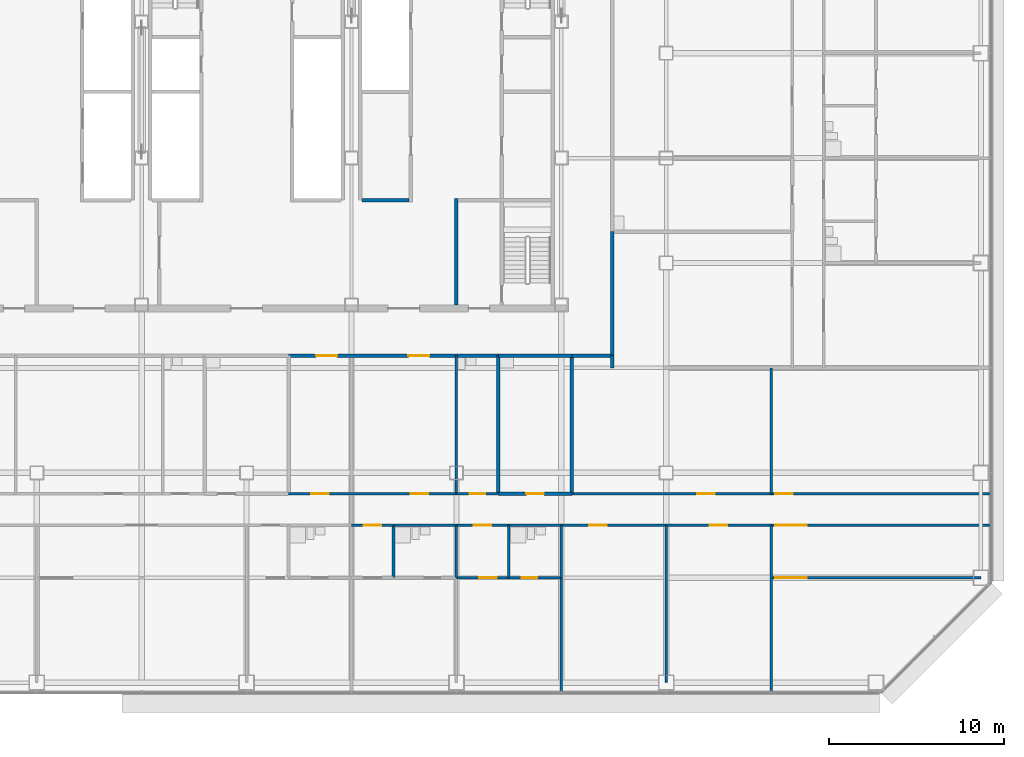
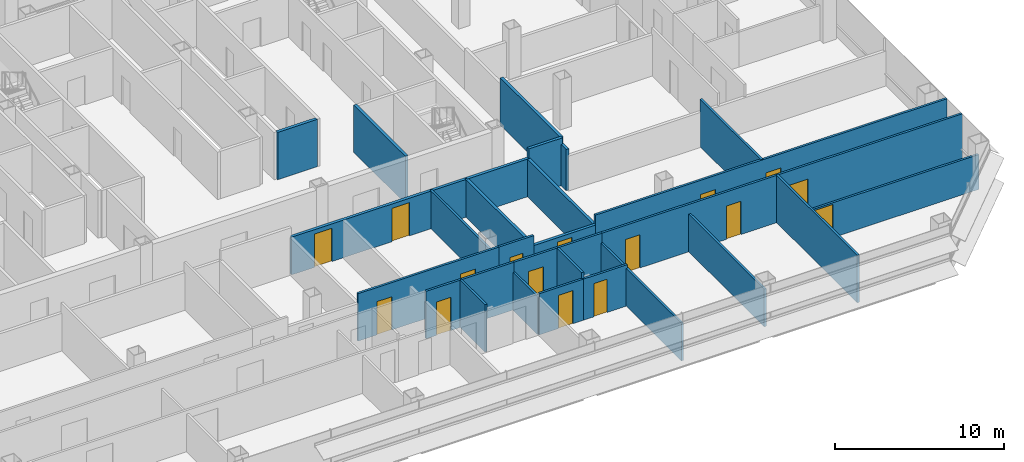
# One storey, part 21 of 26: 30 walls, 16 doors, 16 openings.
"""IFC4 building model written with IfcOpenShell, lengths in metres."""

import ifcopenshell
import ifcopenshell.guid

model = None  # the IFC model being written
_history = None  # IfcOwnerHistory: only IFC2X3 demands one
_inside = {}  # id of a spatial element -> (the spatial element, [elements in it])
_under = {}  # id of a project, library or spatial element -> (it, [spatial elements below it])
_declared = {}  # id of a project -> (the project, [libraries it declares])
_typed = {}  # id of a type object -> (the type object, [elements of that type])
_made_of = {}  # id of a material, layer set ... -> (it, [elements and type objects made of it])


def new_model(schema):
    """Start an empty IFC model of exactly this schema.

    Asked for "IFC4X3", IfcOpenShell would pick the latest addendum, in which some entities
    have other attributes; the version numbers below select the first issue.
    IFC2X3 requires an IfcOwnerHistory on every rooted entity: one is made here for all.
    """
    global model, _history
    if schema == "IFC4X3":
        model = ifcopenshell.file(schema_version=(4, 3, 0, 0))
    else:
        model = ifcopenshell.file(schema=schema)
    _inside.clear()
    _under.clear()
    _declared.clear()
    _typed.clear()
    _made_of.clear()
    _history = None
    if model.schema == "IFC2X3":
        org = make("IfcOrganization", Name="unknown")
        user = make(
            "IfcPersonAndOrganization",
            ThePerson=make("IfcPerson", FamilyName="unknown"),
            TheOrganization=org,
        )
        app = make(
            "IfcApplication",
            ApplicationDeveloper=org,
            Version="unknown",
            ApplicationFullName="unknown",
            ApplicationIdentifier="unknown",
        )
        _history = make(
            "IfcOwnerHistory",
            OwningUser=user,
            OwningApplication=app,
            ChangeAction="ADDED",
            CreationDate=0,
        )
    return model


def make(cls, **values):
    """One entity of the class cls with the attributes given. An attribute that is None is left unset."""
    return model.create_entity(
        cls, **{name: value for name, value in values.items() if value is not None}
    )


def rooted(cls, **values):
    """An entity with a GlobalId (a new one), such as an element, a storey or a relation."""
    return make(cls, GlobalId=ifcopenshell.guid.new(), OwnerHistory=_history, **values)


def si_unit(unit_type, name, prefix=None):
    """IfcSIUnit, for example si_unit("LENGTHUNIT", "METRE", prefix="MILLI")."""
    return make("IfcSIUnit", UnitType=unit_type, Prefix=prefix, Name=name)


def assignment(units):
    """IfcUnitAssignment: the units of a project."""
    return None if units is None else make("IfcUnitAssignment", Units=units)


def point(xyz):
    """IfcCartesianPoint."""
    return None if xyz is None else make("IfcCartesianPoint", Coordinates=xyz)


def direction(xyz):
    """IfcDirection."""
    return None if xyz is None else make("IfcDirection", DirectionRatios=xyz)


def frame(location, z_axis=None, x_axis=None):
    """IfcAxis2Placement3D, a coordinate frame: its origin and axes. An axis left out is left unset."""
    return make(
        "IfcAxis2Placement3D",
        Location=point(location),
        Axis=direction(z_axis),
        RefDirection=direction(x_axis),
    )


def frame_2d(location, x_axis=None):
    """IfcAxis2Placement2D, a coordinate frame in the plane: its origin and x axis."""
    return make(
        "IfcAxis2Placement2D", Location=point(location), RefDirection=direction(x_axis)
    )


def origin():
    """The frame at (0, 0, 0) with its axes left unset."""
    return frame((0.0, 0.0, 0.0))


def place(relative_to, where):
    """IfcLocalPlacement: puts the frame where relative to a parent placement (None: the world)."""
    return make(
        "IfcLocalPlacement", PlacementRelTo=relative_to, RelativePlacement=where
    )


def context(
    kind, dimensions, precision=None, world=None, true_north=None, identifier=None
):
    """IfcGeometricRepresentationContext, for example the 3D "Model" context."""
    return make(
        "IfcGeometricRepresentationContext",
        ContextIdentifier=identifier,
        ContextType=kind,
        CoordinateSpaceDimension=dimensions,
        Precision=precision,
        WorldCoordinateSystem=world,
        TrueNorth=true_north,
    )


def subcontext(parent, identifier, kind, view, scale=None):
    """IfcGeometricRepresentationSubContext, for example "Body" below "Model"."""
    return make(
        "IfcGeometricRepresentationSubContext",
        ContextIdentifier=identifier,
        ContextType=kind,
        ParentContext=parent,
        TargetScale=scale,
        TargetView=view,
    )


def project(units=None, contexts=None):
    """IfcProject with its units and contexts."""
    return rooted(
        "IfcProject",
        Name="project",
        RepresentationContexts=contexts,
        UnitsInContext=assignment(units),
    )


def spatial(cls, under=None, at=None, **own):
    """A site, building, storey or space (cls), placed at a placement, below another one or the project."""
    s = rooted(cls, ObjectPlacement=at, **own)
    if under is not None:
        _under.setdefault(under.id(), (under, []))[1].append(s)
    return s


def profile(cls, at=None, kind="AREA", **sizes):
    """A parametric profile (cls). Its sizes go by their IFC names, for example OverallWidth=200.0."""
    return make(cls, ProfileType=kind, Position=at, **sizes)


def rectangle(**sizes):
    """IfcRectangleProfileDef."""
    return profile("IfcRectangleProfileDef", **sizes)


def extrude(swept, where, along, depth):
    """IfcExtrudedAreaSolid: the profile swept, set in the frame where, extruded along a direction by depth."""
    return make(
        "IfcExtrudedAreaSolid",
        SweptArea=swept,
        Position=where,
        ExtrudedDirection=direction(along),
        Depth=depth,
    )


def shape(context_of_items, identifier, shape_type, items):
    """IfcShapeRepresentation: the items that make up one representation, for example the "Body"."""
    return make(
        "IfcShapeRepresentation",
        ContextOfItems=context_of_items,
        RepresentationIdentifier=identifier,
        RepresentationType=shape_type,
        Items=items,
    )


def material(Name=None, Category=None):
    """IfcMaterial."""
    return make("IfcMaterial", Name=Name, Category=Category)


def layer(
    of_material, thickness, ventilated=None, Name=None, Category=None, Priority=None
):
    """IfcMaterialLayer: one layer of a wall or slab, of a material (None: an air gap)."""
    return make(
        "IfcMaterialLayer",
        Material=of_material,
        LayerThickness=thickness,
        IsVentilated=ventilated,
        Name=Name,
        Category=Category,
        Priority=Priority,
    )


def layer_set(layers, Name=None):
    """IfcMaterialLayerSet."""
    return make("IfcMaterialLayerSet", MaterialLayers=layers, LayerSetName=Name)


def made_of(thing, what):
    """Note that an element or type object is made of a material, layer set ...; save() writes the relation."""
    if what is not None:
        _made_of.setdefault(what.id(), (what, []))[1].append(thing)
    return thing


def type_object(cls, material=None, **own):
    """A type object (cls), such as IfcWallType, which elements share."""
    return made_of(rooted(cls, **own), material)


def element(
    cls,
    number,
    at=None,
    inside=None,
    cuts=None,
    type_object=None,
    material=None,
    context=None,
    identifier="Body",
    shape_type=None,
    held_by="IfcProductDefinitionShape",
    body=None,
    shapes=None,
    **own,
):
    """One element of the class cls, such as IfcWall. Its Tag is "e" and its number.

    at: its placement. inside: the storey or other place that contains it. cuts: it is an
    opening in that element (IfcRelVoidsElement). A single representation is given by context,
    identifier, shape_type and body (its items); several are given by shapes. held_by: the class
    of the entity that holds the representations. save() writes the other relations.
    """
    e = rooted(cls, Tag="e%d" % number, ObjectPlacement=at, **own)
    if body is not None:
        shapes = [shape(context, identifier, shape_type, body)]
    if shapes is not None:
        e.Representation = make(held_by, Representations=shapes)
    if inside is not None:
        _inside.setdefault(inside.id(), (inside, []))[1].append(e)
    if cuts is not None:
        rooted(
            "IfcRelVoidsElement", RelatingBuildingElement=cuts, RelatedOpeningElement=e
        )
    if type_object is not None:
        _typed.setdefault(type_object.id(), (type_object, []))[1].append(e)
    return made_of(e, material)


def fill(opening, filler):
    """IfcRelFillsElement: the door or window that sits in an opening."""
    return rooted(
        "IfcRelFillsElement",
        RelatingOpeningElement=opening,
        RelatedBuildingElement=filler,
    )


def aggregate(whole, parts):
    """IfcRelAggregates: a whole, such as a stair, and the parts it consists of."""
    return rooted("IfcRelAggregates", RelatingObject=whole, RelatedObjects=parts)


def save(model, path):
    """Write the relations noted so far, then the file.

    IfcRelAggregates (storeys below a building ...), IfcRelContainedInSpatialStructure (elements
    in a storey), IfcRelDefinesByType, IfcRelAssociatesMaterial and IfcRelDeclares: one each for
    every whole, place, type object, material and project.
    """
    for whole, parts in _under.values():
        aggregate(whole, parts)
    for where, things in _inside.values():
        rooted(
            "IfcRelContainedInSpatialStructure",
            RelatedElements=things,
            RelatingStructure=where,
        )
    for kind, things in _typed.values():
        rooted("IfcRelDefinesByType", RelatedObjects=things, RelatingType=kind)
    for what, things in _made_of.values():
        rooted("IfcRelAssociatesMaterial", RelatedObjects=things, RelatingMaterial=what)
    for by, libraries in _declared.values():
        rooted("IfcRelDeclares", RelatingContext=by, RelatedDefinitions=libraries)
    model.write(path)


model = new_model("IFC4")

# Units and contexts
model_context = context("Model", 3, precision=1e-05, world=origin(), true_north=direction((0.0, 1.0)))
body_context = subcontext(model_context, "Body", "Model", "MODEL_VIEW")
ifc_project = project(units=[si_unit("LENGTHUNIT", "METRE"), si_unit("AREAUNIT", "SQUARE_METRE"), si_unit("VOLUMEUNIT", "CUBIC_METRE"), si_unit("PLANEANGLEUNIT", "RADIAN"), si_unit("MASSUNIT", "GRAM", prefix="KILO")], contexts=[model_context])

# Site, building, storey
site_placement = place(None, origin())
site = spatial("IfcSite", under=ifc_project, at=site_placement, CompositionType="ELEMENT")
building_placement = place(site_placement, origin())
building = spatial("IfcBuilding", under=site, at=building_placement, Name="Sorahane Residences", CompositionType="ELEMENT")
storey_placement = place(building_placement, frame((0.0, 0.0, 64.199951171875)))
storey = spatial("IfcBuildingStorey", under=building, at=storey_placement, Name="L12", CompositionType="ELEMENT", Elevation=64.199951171875)

# Wall
ifc_material_1 = material(Name="Concrete blockwork C20 wall", Category="masonry")
ifc_layer_1 = layer(ifc_material_1, 0.199951171875)
ifc_layer_set_1 = layer_set([ifc_layer_1], Name="Corridor wall 200 EI 120")
wall_type_1 = type_object("IfcWallType", Name="Corridor wall 200 EI 120", PredefinedType="SOLIDWALL", material=ifc_layer_set_1)
wall_1_placement = place(storey_placement, frame((44.89990234375, 18.699951171875, 0.0), z_axis=(0.0, 0.0, 1.0), x_axis=(0.0, 1.0, 0.0)))
element("IfcWall", 1, at=wall_1_placement, inside=storey, type_object=wall_type_1, Name="L12 corridor wall", PredefinedType="SOLIDWALL", context=body_context, shape_type="SweptSolid", body=[
    extrude(rectangle(XDim=7.10009765625, YDim=0.199951171875, at=frame_2d((3.550048828125, 0.0))), origin(), (0.0, 0.0, 1.0), 3.420166015625),
])

# Wall, openings, doors
wall_2_placement = place(storey_placement, frame((26.39990234375, 18.699951171875, 0.0), z_axis=(0.0, 0.0, 1.0), x_axis=(1.0, 0.0, 0.0)))
wall_2 = element("IfcWall", 2, at=wall_2_placement, inside=storey, type_object=wall_type_1, Name="L12 corridor wall", PredefinedType="SOLIDWALL", context=body_context, shape_type="SweptSolid", body=[
    extrude(rectangle(XDim=12.0, YDim=0.199951171875, at=frame_2d((6.0, 0.0))), origin(), (0.0, 0.0, 1.0), 2.719970703125),
])
opening_1_placement = place(wall_2_placement, frame((1.580078125, 0.0, 0.0)))
opening_1 = element("IfcOpeningElement", 3, at=opening_1_placement, cuts=wall_2, Name="Opening L12-42", PredefinedType="OPENING", context=body_context, shape_type="SweptSolid", body=[
    extrude(rectangle(XDim=1.199951171875, YDim=2.39990234375, at=frame_2d((0.60009765625, 1.199951171875))), frame((0.0, 0.10986328125, 0.0), z_axis=(0.0, -1.0, 0.0), x_axis=(1.0, 0.0, 0.0)), (0.0, 0.0, 1.0), 0.219970703125),
])
opening_2_placement = place(wall_2_placement, frame((6.860107421875, 0.0, 0.0)))
opening_2 = element("IfcOpeningElement", 4, at=opening_2_placement, cuts=wall_2, Name="Opening L12-43", PredefinedType="OPENING", context=body_context, shape_type="SweptSolid", body=[
    extrude(rectangle(XDim=1.199951171875, YDim=2.39990234375, at=frame_2d((0.60009765625, 1.199951171875))), frame((0.0, 0.10986328125, 0.0), z_axis=(0.0, -1.0, 0.0), x_axis=(1.0, 0.0, 0.0)), (0.0, 0.0, 1.0), 0.219970703125),
])
ifc_material_2 = material(Name="Timber veneered fire door", Category="wood")
door_type_1 = type_object("IfcDoorType", Name="Flat entrance door 1200x2400 FD60", OperationType="NOTDEFINED", PredefinedType="DOOR", material=ifc_material_2)
door_1_placement = place(opening_1_placement, frame((1.199951171875, 0.0, 0.0), z_axis=(0.0, 0.0, 1.0), x_axis=(-1.0, 0.0, 0.0)))
door_1 = element("IfcDoor", 5, at=door_1_placement, inside=storey, type_object=door_type_1, Name="Flat entrance door L12-42", OperationType="SINGLE_SWING_LEFT", OverallHeight=2.39990234375, OverallWidth=1.199951171875, PredefinedType="DOOR", context=body_context, shape_type="SweptSolid", body=[
    extrude(rectangle(XDim=1.199951171875, YDim=2.39990234375, at=frame_2d((0.60009765625, 1.199951171875))), frame((0.0, 0.02490234375, 0.0), z_axis=(0.0, -1.0, 0.0), x_axis=(1.0, 0.0, 0.0)), (0.0, 0.0, 1.0), 0.050048828125),
])
fill(opening_1, door_1)
door_2_placement = place(opening_2_placement, frame((1.199951171875, 0.0, 0.0), z_axis=(0.0, 0.0, 1.0), x_axis=(-1.0, 0.0, 0.0)))
door_2 = element("IfcDoor", 6, at=door_2_placement, inside=storey, type_object=door_type_1, Name="Flat entrance door L12-43", OperationType="SINGLE_SWING_RIGHT", OverallHeight=2.39990234375, OverallWidth=1.199951171875, PredefinedType="DOOR", context=body_context, shape_type="SweptSolid", body=[
    extrude(rectangle(XDim=1.199951171875, YDim=2.39990234375, at=frame_2d((0.60009765625, 1.199951171875))), frame((0.0, 0.02490234375, 0.0), z_axis=(0.0, -1.0, 0.0), x_axis=(1.0, 0.0, 0.0)), (0.0, 0.0, 1.0), 0.050048828125),
])
fill(opening_2, door_2)

# Walls
wall_3_placement = place(storey_placement, frame((42.60009765625, 18.699951171875, 0.0), z_axis=(0.0, 0.0, 1.0), x_axis=(1.0, 0.0, 0.0)))
element("IfcWall", 7, at=wall_3_placement, inside=storey, type_object=wall_type_1, Name="L12 corridor wall", PredefinedType="SOLIDWALL", context=body_context, shape_type="SweptSolid", body=[
    extrude(rectangle(XDim=2.2998046875, YDim=0.199951171875, at=frame_2d((1.14990234375, 0.0))), origin(), (0.0, 0.0, 1.0), 3.420166015625),
])
ifc_material_3 = material(Name="Concrete C30", Category="concrete")
ifc_layer_2 = layer(ifc_material_3, 0.199951171875)
ifc_layer_set_2 = layer_set([ifc_layer_2], Name="Front room wall 200 EI 120")
wall_type_2 = type_object("IfcWallType", Name="Front room wall 200 EI 120", PredefinedType="PARTITIONING", material=ifc_layer_set_2)
wall_4_placement = place(storey_placement, frame((36.0, 21.60009765625, 0.0), z_axis=(0.0, 0.0, 1.0), x_axis=(0.0, 1.0, 0.0)))
element("IfcWall", 8, at=wall_4_placement, inside=storey, type_object=wall_type_2, Name="L12 front room wall", PredefinedType="PARTITIONING", context=body_context, shape_type="SweptSolid", body=[
    extrude(rectangle(XDim=6.099853515625, YDim=0.199951171875, at=frame_2d((3.0498046875, 0.0))), origin(), (0.0, 0.0, 1.0), 3.420166015625),
])
ifc_material_4 = material(Name="Concrete blockwork C20 wall", Category="masonry")
ifc_layer_3 = layer(ifc_material_4, 0.199951171875)
ifc_layer_set_3 = layer_set([ifc_layer_3], Name="Kitchen wall 200 EI 180")
wall_type_3 = type_object("IfcWallType", Name="Kitchen wall 200 EI 180", PredefinedType="SOLIDWALL", material=ifc_layer_set_3)
for number, where, z_axis, x_axis, name in (
    (9, (38.39990234375, 10.800048828125, 0.0), (0.0, 0.0, 1.0), (0.0, 1.0, 0.0), "L12 kitchen wall"),
    (10, (42.60009765625, 10.800048828125, 0.0), (0.0, 0.0, 1.0), (0.0, 1.0, 0.0), "L12 kitchen wall"),
):
    element("IfcWall", number, at=place(storey_placement, frame(where, z_axis=z_axis, x_axis=x_axis)), inside=storey, type_object=wall_type_3, Name=name, PredefinedType="SOLIDWALL", context=body_context, shape_type="SweptSolid", body=[
        extrude(rectangle(XDim=7.89990234375, YDim=0.199951171875, at=frame_2d((3.949951171875, 0.0))), origin(), (0.0, 0.0, 1.0), 2.719970703125),
    ])

# Wall, opening, door
wall_5_placement = place(storey_placement, frame((38.39990234375, 10.800048828125, 0.0), z_axis=(0.0, 0.0, 1.0), x_axis=(1.0, 0.0, 0.0)))
wall_5 = element("IfcWall", 11, at=wall_5_placement, inside=storey, type_object=wall_type_3, Name="L12 kitchen wall", PredefinedType="SOLIDWALL", context=body_context, shape_type="SweptSolid", body=[
    extrude(rectangle(XDim=4.2001953125, YDim=0.199951171875, at=frame_2d((2.10009765625, 0.0))), origin(), (0.0, 0.0, 1.0), 2.719970703125),
])
opening_3_placement = place(wall_5_placement, frame((1.60009765625, 0.0, 0.0)))
opening_3 = element("IfcOpeningElement", 12, at=opening_3_placement, cuts=wall_5, Name="Opening L12-15", PredefinedType="OPENING", context=body_context, shape_type="SweptSolid", body=[
    extrude(rectangle(XDim=1.0, YDim=2.39990234375, at=frame_2d((0.5, 1.199951171875))), frame((0.0, 0.10986328125, 0.0), z_axis=(0.0, -1.0, 0.0), x_axis=(1.0, 0.0, 0.0)), (0.0, 0.0, 1.0), 0.219970703125),
])
ifc_material_5 = material(Name="Steel", Category="steel")
door_type_2 = type_object("IfcDoorType", Name="Kitchen door 1000x2400 FD120", OperationType="NOTDEFINED", PredefinedType="DOOR", material=ifc_material_5)
door_3_placement = place(opening_3_placement, origin())
door_3 = element("IfcDoor", 13, at=door_3_placement, inside=storey, type_object=door_type_2, Name="Kitchen door L12-15", OperationType="SINGLE_SWING_RIGHT", OverallHeight=2.39990234375, OverallWidth=1.0, PredefinedType="DOOR", context=body_context, shape_type="SweptSolid", body=[
    extrude(rectangle(XDim=1.0, YDim=2.39990234375, at=frame_2d((0.5, 1.199951171875))), frame((0.0, 0.02490234375, 0.0), z_axis=(0.0, -1.0, 0.0), x_axis=(1.0, 0.0, 0.0)), (0.0, 0.0, 1.0), 0.050048828125),
])
fill(opening_3, door_3)

# Walls
wall_6_placement = place(storey_placement, frame((38.39990234375, 18.699951171875, 0.0), z_axis=(0.0, 0.0, 1.0), x_axis=(1.0, 0.0, 0.0)))
element("IfcWall", 14, at=wall_6_placement, inside=storey, type_object=wall_type_3, Name="L12 kitchen wall", PredefinedType="SOLIDWALL", context=body_context, shape_type="SweptSolid", body=[
    extrude(rectangle(XDim=4.2001953125, YDim=0.199951171875, at=frame_2d((2.10009765625, 0.0))), origin(), (0.0, 0.0, 1.0), 2.719970703125),
])
ifc_material_6 = material(Name="Gypsum board partition on steel studs", Category="steel")
ifc_layer_4 = layer(ifc_material_6, 0.14990234375)
ifc_layer_set_4 = layer_set([ifc_layer_4], Name="Partition 150 EI 90")
wall_type_4 = type_object("IfcWallType", Name="Partition 150 EI 90", PredefinedType="PARTITIONING", material=ifc_layer_set_4)
wall_7_placement = place(storey_placement, frame((42.0, -0.60009765625, 0.0), z_axis=(0.0, 0.0, 1.0), x_axis=(0.0, 1.0, 0.0)))
element("IfcWall", 15, at=wall_7_placement, inside=storey, type_object=wall_type_4, Name="L12 partition", PredefinedType="PARTITIONING", context=body_context, shape_type="SweptSolid", body=[
    extrude(rectangle(XDim=6.60009765625, YDim=0.14990234375, at=frame_2d((3.300048828125, 0.0))), origin(), (0.0, 0.0, 1.0), 2.719970703125),
])
wall_8_placement = place(storey_placement, frame((48.0, 0.0, 0.0), z_axis=(0.0, 0.0, 1.0), x_axis=(0.0, 1.0, 0.0)))
element("IfcWall", 16, at=wall_8_placement, inside=storey, type_object=wall_type_4, Name="L12 partition", PredefinedType="PARTITIONING", context=body_context, shape_type="SweptSolid", body=[
    extrude(rectangle(XDim=9.0, YDim=0.14990234375, at=frame_2d((4.5, 0.0))), origin(), (0.0, 0.0, 1.0), 2.719970703125),
])
wall_9_placement = place(storey_placement, frame((54.0, -0.60009765625, 0.0), z_axis=(0.0, 0.0, 1.0), x_axis=(0.0, 1.0, 0.0)))
element("IfcWall", 17, at=wall_9_placement, inside=storey, type_object=wall_type_4, Name="L12 partition", PredefinedType="PARTITIONING", context=body_context, shape_type="SweptSolid", body=[
    extrude(rectangle(XDim=9.60009765625, YDim=0.14990234375, at=frame_2d((4.800048828125, 0.0))), origin(), (0.0, 0.0, 1.0), 3.420166015625),
])
wall_10_placement = place(storey_placement, frame((54.0, 10.800048828125, 0.0), z_axis=(0.0, 0.0, 1.0), x_axis=(0.0, 1.0, 0.0)))
element("IfcWall", 18, at=wall_10_placement, inside=storey, type_object=wall_type_4, Name="L12 partition", PredefinedType="PARTITIONING", context=body_context, shape_type="SweptSolid", body=[
    extrude(rectangle(XDim=7.199951171875, YDim=0.14990234375, at=frame_2d((3.60009765625, 0.0))), origin(), (0.0, 0.0, 1.0), 3.420166015625),
])

# Wall, openings, doors
wall_11_placement = place(storey_placement, frame((26.39990234375, 10.800048828125, 0.0), z_axis=(0.0, 0.0, 1.0), x_axis=(1.0, 0.0, 0.0)))
wall_11 = element("IfcWall", 19, at=wall_11_placement, inside=storey, type_object=wall_type_4, Name="L12 partition", PredefinedType="PARTITIONING", context=body_context, shape_type="SweptSolid", body=[
    extrude(rectangle(XDim=9.60009765625, YDim=0.14990234375, at=frame_2d((4.800048828125, 0.0))), origin(), (0.0, 0.0, 1.0), 3.420166015625),
])
opening_4_placement = place(wall_11_placement, frame((1.300048828125, 0.0, 0.0)))
opening_4 = element("IfcOpeningElement", 20, at=opening_4_placement, cuts=wall_11, Name="Opening L12-01", PredefinedType="OPENING", context=body_context, shape_type="SweptSolid", body=[
    extrude(rectangle(XDim=1.0, YDim=2.39990234375, at=frame_2d((0.5, 1.199951171875))), frame((0.0, 0.0849609375, 0.0), z_axis=(0.0, -1.0, 0.0), x_axis=(1.0, 0.0, 0.0)), (0.0, 0.0, 1.0), 0.169921875),
])
opening_5_placement = place(wall_11_placement, frame((7.0, 0.0, 0.0)))
opening_5 = element("IfcOpeningElement", 21, at=opening_5_placement, cuts=wall_11, Name="Opening L12-13", PredefinedType="OPENING", context=body_context, shape_type="SweptSolid", body=[
    extrude(rectangle(XDim=1.0, YDim=2.39990234375, at=frame_2d((0.5, 1.199951171875))), frame((0.0, 0.0849609375, 0.0), z_axis=(0.0, -1.0, 0.0), x_axis=(1.0, 0.0, 0.0)), (0.0, 0.0, 1.0), 0.169921875),
])
ifc_material_7 = material(Name="Timber veneered fire door", Category="wood")
door_type_3 = type_object("IfcDoorType", Name="Room door 1000x2400 FD30", OperationType="NOTDEFINED", PredefinedType="DOOR", material=ifc_material_7)
door_4_placement = place(opening_4_placement, frame((1.0, 0.0, 0.0), z_axis=(0.0, 0.0, 1.0), x_axis=(-1.0, 0.0, 0.0)))
door_4 = element("IfcDoor", 22, at=door_4_placement, inside=storey, type_object=door_type_3, Name="Room door L12-01", OperationType="SINGLE_SWING_RIGHT", OverallHeight=2.39990234375, OverallWidth=1.0, PredefinedType="DOOR", context=body_context, shape_type="SweptSolid", body=[
    extrude(rectangle(XDim=1.0, YDim=2.39990234375, at=frame_2d((0.5, 1.199951171875))), frame((0.0, 0.02490234375, 0.0), z_axis=(0.0, -1.0, 0.0), x_axis=(1.0, 0.0, 0.0)), (0.0, 0.0, 1.0), 0.050048828125),
])
fill(opening_4, door_4)
door_5_placement = place(opening_5_placement, frame((1.0, 0.0, 0.0), z_axis=(0.0, 0.0, 1.0), x_axis=(-1.0, 0.0, 0.0)))
door_5 = element("IfcDoor", 23, at=door_5_placement, inside=storey, type_object=door_type_3, Name="Room door L12-13", OperationType="SINGLE_SWING_RIGHT", OverallHeight=2.39990234375, OverallWidth=1.0, PredefinedType="DOOR", context=body_context, shape_type="SweptSolid", body=[
    extrude(rectangle(XDim=1.0, YDim=2.39990234375, at=frame_2d((0.5, 1.199951171875))), frame((0.0, 0.02490234375, 0.0), z_axis=(0.0, -1.0, 0.0), x_axis=(1.0, 0.0, 0.0)), (0.0, 0.0, 1.0), 0.050048828125),
])
fill(opening_5, door_5)

wall_12_placement = place(storey_placement, frame((42.60009765625, 10.800048828125, 0.0), z_axis=(0.0, 0.0, 1.0), x_axis=(1.0, 0.0, 0.0)))
wall_12 = element("IfcWall", 24, at=wall_12_placement, inside=storey, type_object=wall_type_4, Name="L12 partition", PredefinedType="PARTITIONING", context=body_context, shape_type="SweptSolid", body=[
    extrude(rectangle(XDim=24.0, YDim=0.14990234375, at=frame_2d((12.0, 0.0))), origin(), (0.0, 0.0, 1.0), 3.420166015625),
])
opening_6_placement = place(wall_12_placement, frame((7.179931640625, 0.0, 0.0)))
opening_6 = element("IfcOpeningElement", 25, at=opening_6_placement, cuts=wall_12, Name="Opening L12-16", PredefinedType="OPENING", context=body_context, shape_type="SweptSolid", body=[
    extrude(rectangle(XDim=1.0, YDim=2.39990234375, at=frame_2d((0.5, 1.199951171875))), frame((0.0, 0.0849609375, 0.0), z_axis=(0.0, -1.0, 0.0), x_axis=(1.0, 0.0, 0.0)), (0.0, 0.0, 1.0), 0.169921875),
])
opening_7_placement = place(wall_12_placement, frame((11.64990234375, 0.0, 0.0)))
opening_7 = element("IfcOpeningElement", 26, at=opening_7_placement, cuts=wall_12, Name="Opening L12-17", PredefinedType="OPENING", context=body_context, shape_type="SweptSolid", body=[
    extrude(rectangle(XDim=1.0, YDim=2.39990234375, at=frame_2d((0.5, 1.199951171875))), frame((0.0, 0.0849609375, 0.0), z_axis=(0.0, -1.0, 0.0), x_axis=(1.0, 0.0, 0.0)), (0.0, 0.0, 1.0), 0.169921875),
])
door_6_placement = place(opening_6_placement, origin())
door_6 = element("IfcDoor", 27, at=door_6_placement, inside=storey, type_object=door_type_3, Name="Room door L12-16", OperationType="SINGLE_SWING_LEFT", OverallHeight=2.39990234375, OverallWidth=1.0, PredefinedType="DOOR", context=body_context, shape_type="SweptSolid", body=[
    extrude(rectangle(XDim=1.0, YDim=2.39990234375, at=frame_2d((0.5, 1.199951171875))), frame((0.0, 0.02490234375, 0.0), z_axis=(0.0, -1.0, 0.0), x_axis=(1.0, 0.0, 0.0)), (0.0, 0.0, 1.0), 0.050048828125),
])
fill(opening_6, door_6)
door_7_placement = place(opening_7_placement, origin())
door_7 = element("IfcDoor", 28, at=door_7_placement, inside=storey, type_object=door_type_3, Name="Room door L12-17", OperationType="SINGLE_SWING_LEFT", OverallHeight=2.39990234375, OverallWidth=1.0, PredefinedType="DOOR", context=body_context, shape_type="SweptSolid", body=[
    extrude(rectangle(XDim=1.0, YDim=2.39990234375, at=frame_2d((0.5, 1.199951171875))), frame((0.0, 0.02490234375, 0.0), z_axis=(0.0, -1.0, 0.0), x_axis=(1.0, 0.0, 0.0)), (0.0, 0.0, 1.0), 0.050048828125),
])
fill(opening_7, door_7)

# Wall, opening, door
wall_13_placement = place(storey_placement, frame((36.0, 6.0, 0.0), z_axis=(0.0, 0.0, 1.0), x_axis=(1.0, 0.0, 0.0)))
wall_13 = element("IfcWall", 29, at=wall_13_placement, inside=storey, type_object=wall_type_4, Name="L12 partition", PredefinedType="PARTITIONING", context=body_context, shape_type="SweptSolid", body=[
    extrude(rectangle(XDim=3.0, YDim=0.14990234375, at=frame_2d((1.5, 0.0))), origin(), (0.0, 0.0, 1.0), 2.969970703125),
])
opening_8_placement = place(wall_13_placement, frame((1.300048828125, 0.0, 0.0)))
opening_8 = element("IfcOpeningElement", 30, at=opening_8_placement, cuts=wall_13, Name="Opening L12-25", PredefinedType="OPENING", context=body_context, shape_type="SweptSolid", body=[
    extrude(rectangle(XDim=1.0, YDim=2.39990234375, at=frame_2d((0.5, 1.199951171875))), frame((0.0, 0.0849609375, 0.0), z_axis=(0.0, -1.0, 0.0), x_axis=(1.0, 0.0, 0.0)), (0.0, 0.0, 1.0), 0.169921875),
])
door_8_placement = place(opening_8_placement, frame((1.0, 0.0, 0.0), z_axis=(0.0, 0.0, 1.0), x_axis=(-1.0, 0.0, 0.0)))
door_8 = element("IfcDoor", 31, at=door_8_placement, inside=storey, type_object=door_type_3, Name="Room door L12-25", OperationType="SINGLE_SWING_LEFT", OverallHeight=2.39990234375, OverallWidth=1.0, PredefinedType="DOOR", context=body_context, shape_type="SweptSolid", body=[
    extrude(rectangle(XDim=1.0, YDim=2.39990234375, at=frame_2d((0.5, 1.199951171875))), frame((0.0, 0.02490234375, 0.0), z_axis=(0.0, -1.0, 0.0), x_axis=(1.0, 0.0, 0.0)), (0.0, 0.0, 1.0), 0.050048828125),
])
fill(opening_8, door_8)

wall_14_placement = place(storey_placement, frame((54.0, 6.0, 0.0), z_axis=(0.0, 0.0, 1.0), x_axis=(1.0, 0.0, 0.0)))
wall_14 = element("IfcWall", 32, at=wall_14_placement, inside=storey, type_object=wall_type_4, Name="L12 partition", PredefinedType="PARTITIONING", context=body_context, shape_type="SweptSolid", body=[
    extrude(rectangle(XDim=12.0, YDim=0.14990234375, at=frame_2d((6.0, 0.0))), origin(), (0.0, 0.0, 1.0), 2.52001953125),
])
opening_9_placement = place(wall_14_placement, frame((0.25, 0.0, 0.0)))
opening_9 = element("IfcOpeningElement", 33, at=opening_9_placement, cuts=wall_14, Name="Opening L12-27", PredefinedType="OPENING", context=body_context, shape_type="SweptSolid", body=[
    extrude(rectangle(XDim=1.800048828125, YDim=2.39990234375, at=frame_2d((0.89990234375, 1.199951171875))), frame((0.0, 0.0849609375, 0.0), z_axis=(0.0, -1.0, 0.0), x_axis=(1.0, 0.0, 0.0)), (0.0, 0.0, 1.0), 0.169921875),
])
ifc_material_8 = material(Name="Timber veneered fire door", Category="wood")
door_type_4 = type_object("IfcDoorType", Name="Double door 1800x2400 FD30", OperationType="NOTDEFINED", PredefinedType="DOOR", material=ifc_material_8)
door_9_placement = place(opening_9_placement, frame((1.800048828125, 0.0, 0.0), z_axis=(0.0, 0.0, 1.0), x_axis=(-1.0, 0.0, 0.0)))
door_9 = element("IfcDoor", 34, at=door_9_placement, inside=storey, type_object=door_type_4, Name="Double door L12-27", OperationType="SINGLE_SWING_RIGHT", OverallHeight=2.39990234375, OverallWidth=1.800048828125, PredefinedType="DOOR", context=body_context, shape_type="SweptSolid", body=[
    extrude(rectangle(XDim=1.800048828125, YDim=2.39990234375, at=frame_2d((0.89990234375, 1.199951171875))), frame((0.0, 0.02490234375, 0.0), z_axis=(0.0, -1.0, 0.0), x_axis=(1.0, 0.0, 0.0)), (0.0, 0.0, 1.0), 0.050048828125),
])
fill(opening_9, door_9)

wall_15_placement = place(storey_placement, frame((30.0, 9.0, 0.0), z_axis=(0.0, 0.0, 1.0), x_axis=(1.0, 0.0, 0.0)))
wall_15 = element("IfcWall", 35, at=wall_15_placement, inside=storey, type_object=wall_type_4, Name="L12 partition", PredefinedType="PARTITIONING", context=body_context, shape_type="SweptSolid", body=[
    extrude(rectangle(XDim=2.39990234375, YDim=0.14990234375, at=frame_2d((1.199951171875, 0.0))), origin(), (0.0, 0.0, 1.0), 3.420166015625),
])
opening_10_placement = place(wall_15_placement, frame((0.699951171875, 0.0, 0.0)))
opening_10 = element("IfcOpeningElement", 36, at=opening_10_placement, cuts=wall_15, Name="Opening L12-18", PredefinedType="OPENING", context=body_context, shape_type="SweptSolid", body=[
    extrude(rectangle(XDim=1.0, YDim=2.39990234375, at=frame_2d((0.5, 1.199951171875))), frame((0.0, 0.0849609375, 0.0), z_axis=(0.0, -1.0, 0.0), x_axis=(1.0, 0.0, 0.0)), (0.0, 0.0, 1.0), 0.169921875),
])
door_10_placement = place(opening_10_placement, frame((1.0, 0.0, 0.0), z_axis=(0.0, 0.0, 1.0), x_axis=(-1.0, 0.0, 0.0)))
door_10 = element("IfcDoor", 37, at=door_10_placement, inside=storey, type_object=door_type_3, Name="Room door L12-18", OperationType="SINGLE_SWING_LEFT", OverallHeight=2.39990234375, OverallWidth=1.0, PredefinedType="DOOR", context=body_context, shape_type="SweptSolid", body=[
    extrude(rectangle(XDim=1.0, YDim=2.39990234375, at=frame_2d((0.5, 1.199951171875))), frame((0.0, 0.02490234375, 0.0), z_axis=(0.0, -1.0, 0.0), x_axis=(1.0, 0.0, 0.0)), (0.0, 0.0, 1.0), 0.050048828125),
])
fill(opening_10, door_10)

wall_16_placement = place(storey_placement, frame((36.0, 9.0, 0.0), z_axis=(0.0, 0.0, 1.0), x_axis=(1.0, 0.0, 0.0)))
wall_16 = element("IfcWall", 38, at=wall_16_placement, inside=storey, type_object=wall_type_4, Name="L12 partition", PredefinedType="PARTITIONING", context=body_context, shape_type="SweptSolid", body=[
    extrude(rectangle(XDim=3.0, YDim=0.14990234375, at=frame_2d((1.5, 0.0))), origin(), (0.0, 0.0, 1.0), 3.420166015625),
])
opening_11_placement = place(wall_16_placement, frame((1.0, 0.0, 0.0)))
opening_11 = element("IfcOpeningElement", 39, at=opening_11_placement, cuts=wall_16, Name="Opening L12-19", PredefinedType="OPENING", context=body_context, shape_type="SweptSolid", body=[
    extrude(rectangle(XDim=1.0, YDim=2.39990234375, at=frame_2d((0.5, 1.199951171875))), frame((0.0, 0.0849609375, 0.0), z_axis=(0.0, -1.0, 0.0), x_axis=(1.0, 0.0, 0.0)), (0.0, 0.0, 1.0), 0.169921875),
])
door_11_placement = place(opening_11_placement, frame((1.0, 0.0, 0.0), z_axis=(0.0, 0.0, 1.0), x_axis=(-1.0, 0.0, 0.0)))
door_11 = element("IfcDoor", 40, at=door_11_placement, inside=storey, type_object=door_type_3, Name="Room door L12-19", OperationType="SINGLE_SWING_RIGHT", OverallHeight=2.39990234375, OverallWidth=1.0, PredefinedType="DOOR", context=body_context, shape_type="SweptSolid", body=[
    extrude(rectangle(XDim=1.0, YDim=2.39990234375, at=frame_2d((0.5, 1.199951171875))), frame((0.0, 0.02490234375, 0.0), z_axis=(0.0, -1.0, 0.0), x_axis=(1.0, 0.0, 0.0)), (0.0, 0.0, 1.0), 0.050048828125),
])
fill(opening_11, door_11)

# Wall, openings, doors
wall_17_placement = place(storey_placement, frame((42.0, 9.0, 0.0), z_axis=(0.0, 0.0, 1.0), x_axis=(1.0, 0.0, 0.0)))
wall_17 = element("IfcWall", 41, at=wall_17_placement, inside=storey, type_object=wall_type_4, Name="L12 partition", PredefinedType="PARTITIONING", context=body_context, shape_type="SweptSolid", body=[
    extrude(rectangle(XDim=24.60009765625, YDim=0.14990234375, at=frame_2d((12.300048828125, 0.0))), origin(), (0.0, 0.0, 1.0), 3.420166015625),
])
opening_12_placement = place(wall_17_placement, frame((1.60009765625, 0.0, 0.0)))
opening_12 = element("IfcOpeningElement", 42, at=opening_12_placement, cuts=wall_17, Name="Opening L12-20", PredefinedType="OPENING", context=body_context, shape_type="SweptSolid", body=[
    extrude(rectangle(XDim=1.0, YDim=2.39990234375, at=frame_2d((0.5, 1.199951171875))), frame((0.0, 0.0849609375, 0.0), z_axis=(0.0, -1.0, 0.0), x_axis=(1.0, 0.0, 0.0)), (0.0, 0.0, 1.0), 0.169921875),
])
opening_13_placement = place(wall_17_placement, frame((8.5, 0.0, 0.0)))
opening_13 = element("IfcOpeningElement", 43, at=opening_13_placement, cuts=wall_17, Name="Opening L12-21", PredefinedType="OPENING", context=body_context, shape_type="SweptSolid", body=[
    extrude(rectangle(XDim=1.0, YDim=2.39990234375, at=frame_2d((0.5, 1.199951171875))), frame((0.0, 0.0849609375, 0.0), z_axis=(0.0, -1.0, 0.0), x_axis=(1.0, 0.0, 0.0)), (0.0, 0.0, 1.0), 0.169921875),
])
opening_14_placement = place(wall_17_placement, frame((12.25, 0.0, 0.0)))
opening_14 = element("IfcOpeningElement", 44, at=opening_14_placement, cuts=wall_17, Name="Opening L12-22", PredefinedType="OPENING", context=body_context, shape_type="SweptSolid", body=[
    extrude(rectangle(XDim=1.800048828125, YDim=2.39990234375, at=frame_2d((0.89990234375, 1.199951171875))), frame((0.0, 0.0849609375, 0.0), z_axis=(0.0, -1.0, 0.0), x_axis=(1.0, 0.0, 0.0)), (0.0, 0.0, 1.0), 0.169921875),
])
door_12_placement = place(opening_14_placement, frame((1.800048828125, 0.0, 0.0), z_axis=(0.0, 0.0, 1.0), x_axis=(-1.0, 0.0, 0.0)))
door_12 = element("IfcDoor", 45, at=door_12_placement, inside=storey, type_object=door_type_4, Name="Double door L12-22", OperationType="SINGLE_SWING_RIGHT", OverallHeight=2.39990234375, OverallWidth=1.800048828125, PredefinedType="DOOR", context=body_context, shape_type="SweptSolid", body=[
    extrude(rectangle(XDim=1.800048828125, YDim=2.39990234375, at=frame_2d((0.89990234375, 1.199951171875))), frame((0.0, 0.02490234375, 0.0), z_axis=(0.0, -1.0, 0.0), x_axis=(1.0, 0.0, 0.0)), (0.0, 0.0, 1.0), 0.050048828125),
])
fill(opening_14, door_12)
door_13_placement = place(opening_12_placement, frame((1.0, 0.0, 0.0), z_axis=(0.0, 0.0, 1.0), x_axis=(-1.0, 0.0, 0.0)))
door_13 = element("IfcDoor", 46, at=door_13_placement, inside=storey, type_object=door_type_3, Name="Room door L12-20", OperationType="SINGLE_SWING_LEFT", OverallHeight=2.39990234375, OverallWidth=1.0, PredefinedType="DOOR", context=body_context, shape_type="SweptSolid", body=[
    extrude(rectangle(XDim=1.0, YDim=2.39990234375, at=frame_2d((0.5, 1.199951171875))), frame((0.0, 0.02490234375, 0.0), z_axis=(0.0, -1.0, 0.0), x_axis=(1.0, 0.0, 0.0)), (0.0, 0.0, 1.0), 0.050048828125),
])
fill(opening_12, door_13)
door_14_placement = place(opening_13_placement, frame((1.0, 0.0, 0.0), z_axis=(0.0, 0.0, 1.0), x_axis=(-1.0, 0.0, 0.0)))
door_14 = element("IfcDoor", 47, at=door_14_placement, inside=storey, type_object=door_type_3, Name="Room door L12-21", OperationType="SINGLE_SWING_RIGHT", OverallHeight=2.39990234375, OverallWidth=1.0, PredefinedType="DOOR", context=body_context, shape_type="SweptSolid", body=[
    extrude(rectangle(XDim=1.0, YDim=2.39990234375, at=frame_2d((0.5, 1.199951171875))), frame((0.0, 0.02490234375, 0.0), z_axis=(0.0, -1.0, 0.0), x_axis=(1.0, 0.0, 0.0)), (0.0, 0.0, 1.0), 0.050048828125),
])
fill(opening_13, door_14)

# Walls
ifc_material_9 = material(Name="Concrete blockwork C20 wall", Category="masonry")
ifc_layer_5 = layer(ifc_material_9, 0.199951171875)
ifc_layer_set_5 = layer_set([ifc_layer_5], Name="Party wall 200 EI 120")
wall_type_5 = type_object("IfcWallType", Name="Party wall 200 EI 120", PredefinedType="SOLIDWALL", material=ifc_layer_set_5)
wall_18_placement = place(storey_placement, frame((44.89990234375, 18.0, 0.0), z_axis=(0.0, 0.0, 1.0), x_axis=(0.0, 1.0, 0.0)))
element("IfcWall", 48, at=wall_18_placement, inside=storey, type_object=wall_type_5, Name="L12 party wall", PredefinedType="SOLIDWALL", context=body_context, shape_type="SweptSolid", body=[
    extrude(rectangle(XDim=0.699951171875, YDim=0.199951171875, at=frame_2d((0.35009765625, 0.0))), origin(), (0.0, 0.0, 1.0), 2.969970703125),
])
ifc_material_10 = material(Name="Concrete C30", Category="concrete")
ifc_layer_6 = layer(ifc_material_10, 0.199951171875)
ifc_layer_set_6 = layer_set([ifc_layer_6], Name="Service room partition 200 EI 60")
wall_type_6 = type_object("IfcWallType", Name="Service room partition 200 EI 60", PredefinedType="PARTITIONING", material=ifc_layer_set_6)
wall_19_placement = place(storey_placement, frame((30.60009765625, 27.60009765625, 0.0), z_axis=(0.0, 0.0, 1.0), x_axis=(1.0, 0.0, 0.0)))
element("IfcWall", 49, at=wall_19_placement, inside=storey, type_object=wall_type_6, Name="L12 service room wall", PredefinedType="PARTITIONING", context=body_context, shape_type="SweptSolid", body=[
    extrude(rectangle(XDim=2.699951171875, YDim=0.199951171875, at=frame_2d((1.35009765625, 0.0))), origin(), (0.0, 0.0, 1.0), 3.420166015625),
])
ifc_material_11 = material(Name="Gypsum board partition on steel studs", Category="steel")
ifc_layer_7 = layer(ifc_material_11, 0.14990234375)
ifc_layer_set_7 = layer_set([ifc_layer_7], Name="Wet wall 150 EI 90")
wall_type_7 = type_object("IfcWallType", Name="Wet wall 150 EI 90", PredefinedType="PARTITIONING", material=ifc_layer_set_7)
wall_20_placement = place(storey_placement, frame((32.39990234375, 6.0, 0.0), z_axis=(0.0, 0.0, 1.0), x_axis=(0.0, 1.0, 0.0)))
element("IfcWall", 50, at=wall_20_placement, inside=storey, type_object=wall_type_7, Name="L12 wet wall", PredefinedType="PARTITIONING", context=body_context, shape_type="SweptSolid", body=[
    extrude(rectangle(XDim=3.0, YDim=0.14990234375, at=frame_2d((1.5, 0.0))), origin(), (0.0, 0.0, 1.0), 3.420166015625),
])
wall_21_placement = place(storey_placement, frame((36.0, 6.0, 0.0), z_axis=(0.0, 0.0, 1.0), x_axis=(0.0, 1.0, 0.0)))
element("IfcWall", 51, at=wall_21_placement, inside=storey, type_object=wall_type_7, Name="L12 wet wall", PredefinedType="PARTITIONING", context=body_context, shape_type="SweptSolid", body=[
    extrude(rectangle(XDim=3.0, YDim=0.14990234375, at=frame_2d((1.5, 0.0))), origin(), (0.0, 0.0, 1.0), 2.719970703125),
])
wall_22_placement = place(storey_placement, frame((36.0, 10.800048828125, 0.0), z_axis=(0.0, 0.0, 1.0), x_axis=(0.0, 1.0, 0.0)))
element("IfcWall", 52, at=wall_22_placement, inside=storey, type_object=wall_type_7, Name="L12 wet wall", PredefinedType="PARTITIONING", context=body_context, shape_type="SweptSolid", body=[
    extrude(rectangle(XDim=7.89990234375, YDim=0.14990234375, at=frame_2d((3.949951171875, 0.0))), origin(), (0.0, 0.0, 1.0), 2.719970703125),
])
wall_23_placement = place(storey_placement, frame((39.0, 6.0, 0.0), z_axis=(0.0, 0.0, 1.0), x_axis=(0.0, 1.0, 0.0)))
element("IfcWall", 53, at=wall_23_placement, inside=storey, type_object=wall_type_7, Name="L12 wet wall", PredefinedType="PARTITIONING", context=body_context, shape_type="SweptSolid", body=[
    extrude(rectangle(XDim=3.0, YDim=0.14990234375, at=frame_2d((1.5, 0.0))), origin(), (0.0, 0.0, 1.0), 3.420166015625),
])
wall_24_placement = place(storey_placement, frame((42.0, 6.0, 0.0), z_axis=(0.0, 0.0, 1.0), x_axis=(0.0, 1.0, 0.0)))
element("IfcWall", 54, at=wall_24_placement, inside=storey, type_object=wall_type_7, Name="L12 wet wall", PredefinedType="PARTITIONING", context=body_context, shape_type="SweptSolid", body=[
    extrude(rectangle(XDim=3.0, YDim=0.14990234375, at=frame_2d((1.5, 0.0))), origin(), (0.0, 0.0, 1.0), 2.719970703125),
])

# Wall, opening, door
wall_25_placement = place(storey_placement, frame((36.0, 10.800048828125, 0.0), z_axis=(0.0, 0.0, 1.0), x_axis=(1.0, 0.0, 0.0)))
wall_25 = element("IfcWall", 55, at=wall_25_placement, inside=storey, type_object=wall_type_7, Name="L12 wet wall", PredefinedType="PARTITIONING", context=body_context, shape_type="SweptSolid", body=[
    extrude(rectangle(XDim=2.39990234375, YDim=0.14990234375, at=frame_2d((1.199951171875, 0.0))), origin(), (0.0, 0.0, 1.0), 3.420166015625),
])
opening_15_placement = place(wall_25_placement, frame((0.75, 0.0, 0.0)))
opening_15 = element("IfcOpeningElement", 56, at=opening_15_placement, cuts=wall_25, Name="Opening L12-14", PredefinedType="OPENING", context=body_context, shape_type="SweptSolid", body=[
    extrude(rectangle(XDim=0.89990234375, YDim=2.39990234375, at=frame_2d((0.449951171875, 1.199951171875))), frame((0.0, 0.0849609375, 0.0), z_axis=(0.0, -1.0, 0.0), x_axis=(1.0, 0.0, 0.0)), (0.0, 0.0, 1.0), 0.169921875),
])
ifc_material_12 = material(Name="Timber veneered fire door", Category="wood")
door_type_5 = type_object("IfcDoorType", Name="Bathroom door 900x2400 FD30", OperationType="NOTDEFINED", PredefinedType="DOOR", material=ifc_material_12)
door_15_placement = place(opening_15_placement, frame((0.89990234375, 0.0, 0.0), z_axis=(0.0, 0.0, 1.0), x_axis=(-1.0, 0.0, 0.0)))
door_15 = element("IfcDoor", 57, at=door_15_placement, inside=storey, type_object=door_type_5, Name="Bathroom door L12-14", OperationType="SINGLE_SWING_LEFT", OverallHeight=2.39990234375, OverallWidth=0.89990234375, PredefinedType="DOOR", context=body_context, shape_type="SweptSolid", body=[
    extrude(rectangle(XDim=0.89990234375, YDim=2.39990234375, at=frame_2d((0.449951171875, 1.199951171875))), frame((0.0, 0.02490234375, 0.0), z_axis=(0.0, -1.0, 0.0), x_axis=(1.0, 0.0, 0.0)), (0.0, 0.0, 1.0), 0.050048828125),
])
fill(opening_15, door_15)

wall_26_placement = place(storey_placement, frame((39.0, 6.0, 0.0), z_axis=(0.0, 0.0, 1.0), x_axis=(1.0, 0.0, 0.0)))
wall_26 = element("IfcWall", 58, at=wall_26_placement, inside=storey, type_object=wall_type_7, Name="L12 wet wall", PredefinedType="PARTITIONING", context=body_context, shape_type="SweptSolid", body=[
    extrude(rectangle(XDim=3.0, YDim=0.14990234375, at=frame_2d((1.5, 0.0))), origin(), (0.0, 0.0, 1.0), 2.969970703125),
])
opening_16_placement = place(wall_26_placement, frame((0.72998046875, 0.0, 0.0)))
opening_16 = element("IfcOpeningElement", 59, at=opening_16_placement, cuts=wall_26, Name="Opening L12-26", PredefinedType="OPENING", context=body_context, shape_type="SweptSolid", body=[
    extrude(rectangle(XDim=0.89990234375, YDim=2.39990234375, at=frame_2d((0.449951171875, 1.199951171875))), frame((0.0, 0.0849609375, 0.0), z_axis=(0.0, -1.0, 0.0), x_axis=(1.0, 0.0, 0.0)), (0.0, 0.0, 1.0), 0.169921875),
])
door_16_placement = place(opening_16_placement, frame((0.89990234375, 0.0, 0.0), z_axis=(0.0, 0.0, 1.0), x_axis=(-1.0, 0.0, 0.0)))
door_16 = element("IfcDoor", 60, at=door_16_placement, inside=storey, type_object=door_type_5, Name="Bathroom door L12-26", OperationType="SINGLE_SWING_RIGHT", OverallHeight=2.39990234375, OverallWidth=0.89990234375, PredefinedType="DOOR", context=body_context, shape_type="SweptSolid", body=[
    extrude(rectangle(XDim=0.89990234375, YDim=2.39990234375, at=frame_2d((0.449951171875, 1.199951171875))), frame((0.0, 0.02490234375, 0.0), z_axis=(0.0, -1.0, 0.0), x_axis=(1.0, 0.0, 0.0)), (0.0, 0.0, 1.0), 0.050048828125),
])
fill(opening_16, door_16)

# Walls
wall_27_placement = place(storey_placement, frame((32.39990234375, 9.0, 0.0), z_axis=(0.0, 0.0, 1.0), x_axis=(1.0, 0.0, 0.0)))
element("IfcWall", 61, at=wall_27_placement, inside=storey, type_object=wall_type_7, Name="L12 wet wall", PredefinedType="PARTITIONING", context=body_context, shape_type="SweptSolid", body=[
    extrude(rectangle(XDim=3.60009765625, YDim=0.14990234375, at=frame_2d((1.800048828125, 0.0))), origin(), (0.0, 0.0, 1.0), 3.420166015625),
])
wall_28_placement = place(storey_placement, frame((39.0, 9.0, 0.0), z_axis=(0.0, 0.0, 1.0), x_axis=(1.0, 0.0, 0.0)))
element("IfcWall", 62, at=wall_28_placement, inside=storey, type_object=wall_type_7, Name="L12 wet wall", PredefinedType="PARTITIONING", context=body_context, shape_type="SweptSolid", body=[
    extrude(rectangle(XDim=3.0, YDim=0.14990234375, at=frame_2d((1.5, 0.0))), origin(), (0.0, 0.0, 1.0), 3.420166015625),
])

save(model, "model.ifc")
